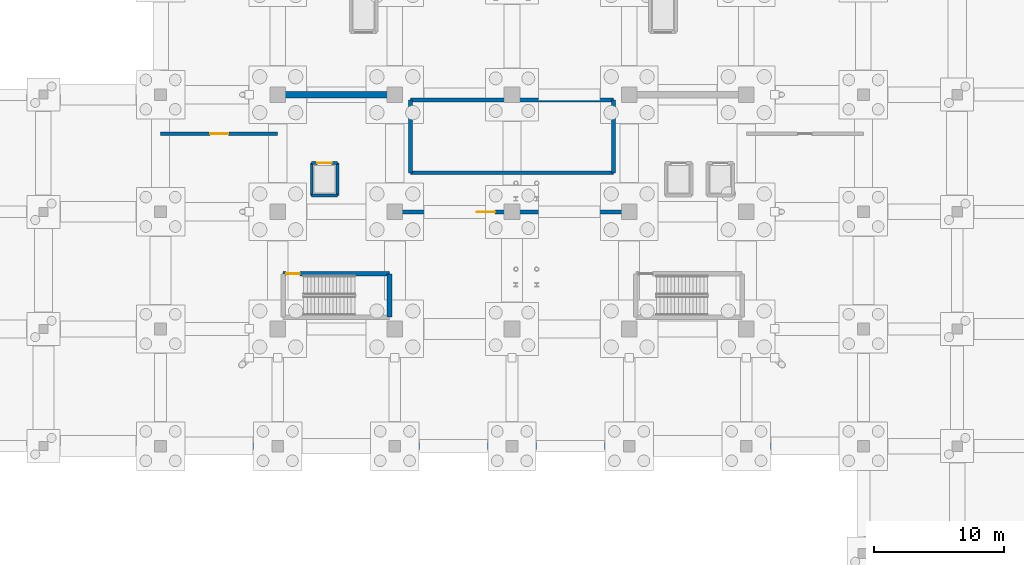
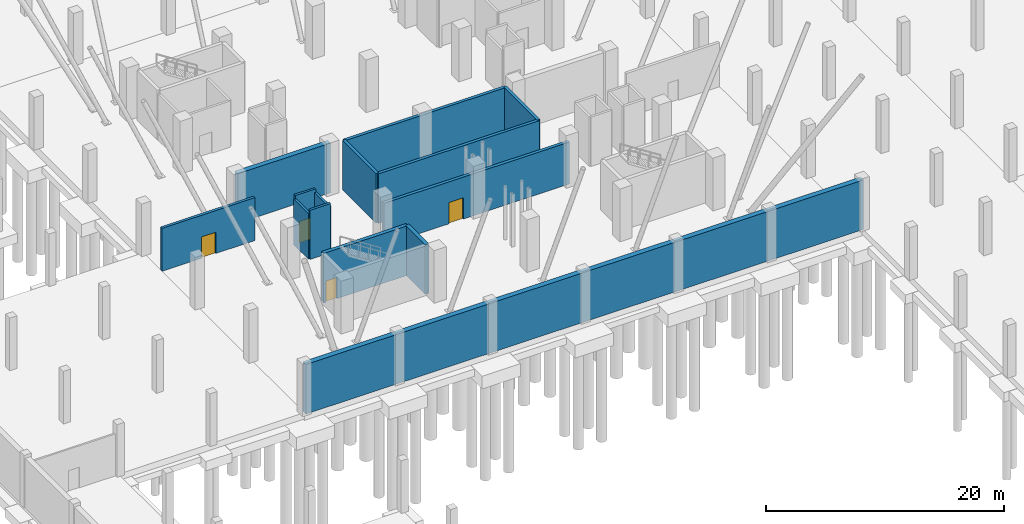
# One storey, part 25 of 42: 14 walls, 4 doors, 4 openings.
"""IFC4 building model written with IfcOpenShell, lengths in metres."""

from ifc_helpers import new_model, si_unit, direction, frame, frame_2d, origin, place, context, subcontext, project, spatial, rectangle, extrude, material, layer, layer_set, type_object, element, fill, save


model = new_model("IFC4")

# Units and contexts
model_context = context("Model", 3, precision=1e-05, world=origin(), true_north=direction((0.0, 1.0)))
body_context = subcontext(model_context, "Body", "Model", "MODEL_VIEW")
ifc_project = project(units=[si_unit("LENGTHUNIT", "METRE"), si_unit("AREAUNIT", "SQUARE_METRE"), si_unit("VOLUMEUNIT", "CUBIC_METRE"), si_unit("PLANEANGLEUNIT", "RADIAN"), si_unit("MASSUNIT", "GRAM", prefix="KILO")], contexts=[model_context])

# Site, building, storey
site_placement = place(None, origin())
site = spatial("IfcSite", under=ifc_project, at=site_placement, CompositionType="ELEMENT")
building_placement = place(site_placement, origin())
building = spatial("IfcBuilding", under=site, at=building_placement, Name="Sundgate Opera House", CompositionType="ELEMENT")
storey_placement = place(building_placement, frame((0.0, 0.0, -5.39990234375)))
storey = spatial("IfcBuildingStorey", under=building, at=storey_placement, Name="B01", CompositionType="ELEMENT", Elevation=-5.39990234375)

# Wall, opening, door
ifc_material_1 = material(Name="Concrete C40/50", Category="concrete")
ifc_layer_1 = layer(ifc_material_1, 0.35009765625)
ifc_layer_set_1 = layer_set([ifc_layer_1], Name="Concrete C40/50")
wall_type_1 = type_object("IfcWallType", Name="WL-CORE-350", PredefinedType="SHEAR", material=ifc_layer_set_1)
wall_1_placement = place(storey_placement, frame((36.409912109375, 46.239990234375, 0.0), z_axis=(0.0, 0.0, 1.0), x_axis=(1.0, 0.0, 0.0)))
wall_1 = element("IfcWall", 1, at=wall_1_placement, inside=storey, type_object=wall_type_1, Name="B01 C1 North Shaft Wall", PredefinedType="SHEAR", context=body_context, shape_type="SweptSolid", body=[
    extrude(rectangle(XDim=8.18017578125, YDim=0.35009765625, at=frame_2d((4.090087890625, 0.0))), origin(), (0.0, 0.0, 1.0), 5.079833984375),
])
opening_1_placement = place(wall_1_placement, frame((0.239990234375, 0.0, 0.0)))
opening_1 = element("IfcOpeningElement", 2, at=opening_1_placement, cuts=wall_1, Name="Opening DI01", PredefinedType="OPENING", context=body_context, shape_type="SweptSolid", body=[
    extrude(rectangle(XDim=1.050048828125, YDim=2.179931640625, at=frame_2d((0.52490234375, 1.08984375))), frame((0.0, 0.18505859375, 0.0), z_axis=(0.0, -1.0, 0.0), x_axis=(1.0, 0.0, 0.0)), (0.0, 0.0, 1.0), 0.3701171875),
])
ifc_material_2 = material(Name="Acoustic hardwood timber and steel core", Category="steel")
door_type_1 = type_object("IfcDoorType", Name="DR-STAIR-1050x2180", OperationType="NOTDEFINED", PredefinedType="DOOR", material=ifc_material_2)
door_1_placement = place(opening_1_placement, origin())
door_1 = element("IfcDoor", 3, at=door_1_placement, inside=storey, type_object=door_type_1, Name="B01 C1 Stair Door D0025", OperationType="SINGLE_SWING_LEFT", OverallHeight=2.179931640625, OverallWidth=1.050048828125, PredefinedType="DOOR", context=body_context, shape_type="SweptSolid", body=[
    extrude(rectangle(XDim=1.050048828125, YDim=2.179931640625, at=frame_2d((0.52490234375, 1.08984375))), frame((0.0, 0.02490234375, 0.0), z_axis=(0.0, -1.0, 0.0), x_axis=(1.0, 0.0, 0.0)), (0.0, 0.0, 1.0), 0.050048828125),
])
fill(opening_1, door_1)

# Wall
wall_2_placement = place(storey_placement, frame((44.590087890625, 42.909912109375, 0.0), z_axis=(0.0, 0.0, 1.0), x_axis=(0.0, 1.0, 0.0)))
element("IfcWall", 4, at=wall_2_placement, inside=storey, type_object=wall_type_1, Name="B01 C1 East Shaft Wall", PredefinedType="SHEAR", context=body_context, shape_type="SweptSolid", body=[
    extrude(rectangle(XDim=3.330078125, YDim=0.35009765625, at=frame_2d((1.6650390625, 0.0))), origin(), (0.0, 0.0, 1.0), 5.079833984375),
])

# Wall, opening, door
ifc_material_3 = material(Name="Acoustic masonry partition wall", Category="masonry")
ifc_layer_2 = layer(ifc_material_3, 0.260009765625)
ifc_layer_set_2 = layer_set([ifc_layer_2], Name="Acoustic masonry partition wall")
wall_type_2 = type_object("IfcWallType", Name="WL-INT-ACOUST-260", PredefinedType="PARTITIONING", material=ifc_layer_set_2)
wall_3_placement = place(storey_placement, frame((27.0, 57.0, 0.0), z_axis=(0.0, 0.0, 1.0), x_axis=(1.0, 0.0, 0.0)))
wall_3 = element("IfcWall", 5, at=wall_3_placement, inside=storey, type_object=wall_type_2, Name="B01 Interior Partition W0972", PredefinedType="PARTITIONING", context=body_context, shape_type="SweptSolid", body=[
    extrude(rectangle(XDim=9.0, YDim=0.260009765625, at=frame_2d((4.5, 0.0))), origin(), (0.0, 0.0, 1.0), 4.39501953125),
])
opening_2_placement = place(wall_3_placement, frame((3.800048828125, 0.0, 0.0)))
opening_2 = element("IfcOpeningElement", 6, at=opening_2_placement, cuts=wall_3, Name="Opening DI09", PredefinedType="OPENING", context=body_context, shape_type="SweptSolid", body=[
    extrude(rectangle(XDim=1.39990234375, YDim=2.179931640625, at=frame_2d((0.699951171875, 1.08984375))), frame((0.0, 0.139892578125, 0.0), z_axis=(0.0, -1.0, 0.0), x_axis=(1.0, 0.0, 0.0)), (0.0, 0.0, 1.0), 0.280029296875),
])
ifc_material_4 = material(Name="Acoustic hardwood timber and steel core", Category="steel")
door_type_2 = type_object("IfcDoorType", Name="DR-PLANT-1400x2180", OperationType="DOUBLE_DOOR_SINGLE_SWING", PredefinedType="DOOR", material=ifc_material_4)
door_2_placement = place(opening_2_placement, origin())
door_2 = element("IfcDoor", 7, at=door_2_placement, inside=storey, type_object=door_type_2, Name="B01 Interior Door D0160", OperationType="DOUBLE_DOOR_SINGLE_SWING", OverallHeight=2.179931640625, OverallWidth=1.39990234375, PredefinedType="DOOR", context=body_context, shape_type="SweptSolid", body=[
    extrude(rectangle(XDim=1.39990234375, YDim=2.179931640625, at=frame_2d((0.699951171875, 1.08984375))), frame((0.0, 0.02490234375, 0.0), z_axis=(0.0, -1.0, 0.0), x_axis=(1.0, 0.0, 0.0)), (0.0, 0.0, 1.0), 0.050048828125),
])
fill(opening_2, door_2)

ifc_material_5 = material(Name="Double-leaf acoustic concrete blockwork C35/45", Category="masonry")
ifc_layer_3 = layer(ifc_material_5, 0.300048828125)
ifc_layer_set_3 = layer_set([ifc_layer_3], Name="Double-leaf acoustic concrete blockwork C35/45")
wall_type_3 = type_object("IfcWallType", Name="WL-INT-ACOUST-300", PredefinedType="PARTITIONING", material=ifc_layer_set_3)
wall_4_placement = place(storey_placement, frame((45.0, 51.0, 0.0), z_axis=(0.0, 0.0, 1.0), x_axis=(1.0, 0.0, 0.0)))
wall_4 = element("IfcWall", 8, at=wall_4_placement, inside=storey, type_object=wall_type_3, Name="B01 Interior Partition W0971", PredefinedType="PARTITIONING", context=body_context, shape_type="SweptSolid", body=[
    extrude(rectangle(XDim=18.0, YDim=0.300048828125, at=frame_2d((9.0, 0.0))), origin(), (0.0, 0.0, 1.0), 4.294921875),
])
opening_3_placement = place(wall_4_placement, frame((6.30810546875, 0.0, 0.0)))
opening_3 = element("IfcOpeningElement", 9, at=opening_3_placement, cuts=wall_4, Name="Opening DI09", PredefinedType="OPENING", context=body_context, shape_type="SweptSolid", body=[
    extrude(rectangle(XDim=1.39990234375, YDim=2.179931640625, at=frame_2d((0.699951171875, 1.08984375))), frame((0.0, 0.159912109375, 0.0), z_axis=(0.0, -1.0, 0.0), x_axis=(1.0, 0.0, 0.0)), (0.0, 0.0, 1.0), 0.320068359375),
])
door_3_placement = place(opening_3_placement, origin())
door_3 = element("IfcDoor", 10, at=door_3_placement, inside=storey, type_object=door_type_2, Name="B01 Interior Door D0159", OperationType="DOUBLE_DOOR_SINGLE_SWING", OverallHeight=2.179931640625, OverallWidth=1.39990234375, PredefinedType="DOOR", context=body_context, shape_type="SweptSolid", body=[
    extrude(rectangle(XDim=1.39990234375, YDim=2.179931640625, at=frame_2d((0.699951171875, 1.08984375))), frame((0.0, 0.02490234375, 0.0), z_axis=(0.0, -1.0, 0.0), x_axis=(1.0, 0.0, 0.0)), (0.0, 0.0, 1.0), 0.050048828125),
])
fill(opening_3, door_3)

# Wall
ifc_material_6 = material(Name="Fire-rated gypsum and mineral-wool shaft partition", Category="gypsum")
ifc_layer_4 = layer(ifc_material_6, 0.219970703125)
ifc_layer_set_4 = layer_set([ifc_layer_4], Name="Fire-rated gypsum and mineral-wool shaft partition")
wall_type_4 = type_object("IfcWallType", Name="WL-INT-FIRE-220", PredefinedType="PARTITIONING", material=ifc_layer_set_4)
wall_5_placement = place(storey_placement, frame((38.610107421875, 52.260009765625, 0.0), z_axis=(0.0, 0.0, 1.0), x_axis=(1.0, 0.0, 0.0)))
element("IfcWall", 11, at=wall_5_placement, inside=storey, type_object=wall_type_4, Name="B01 LF-03 South Shaft Wall", PredefinedType="PARTITIONING", context=body_context, shape_type="SweptSolid", body=[
    extrude(rectangle(XDim=1.97998046875, YDim=0.219970703125, at=frame_2d((0.989990234375, 0.0))), origin(), (0.0, 0.0, 1.0), 5.044921875),
])

# Wall, opening, door
wall_6_placement = place(storey_placement, frame((38.610107421875, 54.739990234375, 0.0), z_axis=(0.0, 0.0, 1.0), x_axis=(1.0, 0.0, 0.0)))
wall_6 = element("IfcWall", 12, at=wall_6_placement, inside=storey, type_object=wall_type_4, Name="B01 LF-03 North Shaft Wall", PredefinedType="PARTITIONING", context=body_context, shape_type="SweptSolid", body=[
    extrude(rectangle(XDim=1.97998046875, YDim=0.219970703125, at=frame_2d((0.989990234375, 0.0))), origin(), (0.0, 0.0, 1.0), 5.044921875),
])
opening_4_placement = place(wall_6_placement, frame((0.43994140625, 0.0, 0.0)))
opening_4 = element("IfcOpeningElement", 13, at=opening_4_placement, cuts=wall_6, Name="Opening LD1", PredefinedType="OPENING", context=body_context, shape_type="SweptSolid", body=[
    extrude(rectangle(XDim=1.10009765625, YDim=2.179931640625, at=frame_2d((0.550048828125, 1.08984375))), frame((0.0, 0.119873046875, 0.0), z_axis=(0.0, -1.0, 0.0), x_axis=(1.0, 0.0, 0.0)), (0.0, 0.0, 1.0), 0.239990234375),
])
ifc_material_7 = material(Name="Brushed stainless steel EN 1.4301", Category="steel")
door_type_3 = type_object("IfcDoorType", Name="DR-LIFT-1100x2180", OperationType="DOUBLE_DOOR_SLIDING", PredefinedType="DOOR", material=ifc_material_7)
door_4_placement = place(opening_4_placement, origin())
door_4 = element("IfcDoor", 14, at=door_4_placement, inside=storey, type_object=door_type_3, Name="B01 LF-03 Landing Door D0106", OperationType="DOUBLE_DOOR_SLIDING", OverallHeight=2.179931640625, OverallWidth=1.10009765625, PredefinedType="DOOR", context=body_context, shape_type="SweptSolid", body=[
    extrude(rectangle(XDim=1.10009765625, YDim=2.179931640625, at=frame_2d((0.550048828125, 1.08984375))), frame((0.0, 0.02490234375, 0.0), z_axis=(0.0, -1.0, 0.0), x_axis=(1.0, 0.0, 0.0)), (0.0, 0.0, 1.0), 0.050048828125),
])
fill(opening_4, door_4)

# Walls
for number, where, z_axis, x_axis, name in (
    (15, (38.610107421875, 52.260009765625, 0.0), (0.0, 0.0, 1.0), (0.0, 1.0, 0.0), "B01 LF-03 West Shaft Wall"),
    (16, (40.590087890625, 52.260009765625, 0.0), (0.0, 0.0, 1.0), (0.0, 1.0, 0.0), "B01 LF-03 East Shaft Wall"),
):
    element("IfcWall", number, at=place(storey_placement, frame(where, z_axis=z_axis, x_axis=x_axis)), inside=storey, type_object=wall_type_4, Name=name, PredefinedType="PARTITIONING", context=body_context, shape_type="SweptSolid", body=[
        extrude(rectangle(XDim=2.47998046875, YDim=0.219970703125, at=frame_2d((1.239990234375, 0.0))), origin(), (0.0, 0.0, 1.0), 4.684814453125),
    ])
ifc_material_8 = material(Name="Concrete C40/50", Category="concrete")
ifc_layer_5 = layer(ifc_material_8, 0.47998046875)
ifc_layer_set_5 = layer_set([ifc_layer_5], Name="Concrete C40/50")
wall_type_5 = type_object("IfcWallType", Name="WL-PROS-480", PredefinedType="SHEAR", material=ifc_layer_set_5)
wall_7_placement = place(storey_placement, frame((36.0, 60.0, 0.0), z_axis=(0.0, 0.0, 1.0), x_axis=(1.0, 0.0, 0.0)))
element("IfcWall", 17, at=wall_7_placement, inside=storey, type_object=wall_type_5, Name="B01 Proscenium Shear Wall W0008", PredefinedType="SHEAR", context=body_context, shape_type="SweptSolid", body=[
    extrude(rectangle(XDim=9.0, YDim=0.47998046875, at=frame_2d((4.5, 0.0))), origin(), (0.0, 0.0, 1.0), 5.079833984375),
])
ifc_material_9 = material(Name="Concrete C35/45", Category="concrete")
ifc_layer_6 = layer(ifc_material_9, 0.5)
ifc_layer_set_6 = layer_set([ifc_layer_6], Name="Concrete C35/45")
wall_type_6 = type_object("IfcWallType", Name="WL-RET-500", PredefinedType="USERDEFINED", material=ifc_layer_set_6)
wall_8_placement = place(storey_placement, frame((27.0, 33.0, 0.0), z_axis=(0.0, 0.0, 1.0), x_axis=(1.0, 0.0, 0.0)))
element("IfcWall", 18, at=wall_8_placement, inside=storey, type_object=wall_type_6, Name="B01 Perimeter Retaining Wall W0007", ObjectType="RETAINING WALL", PredefinedType="USERDEFINED", context=body_context, shape_type="SweptSolid", body=[
    extrude(rectangle(XDim=54.0, YDim=0.5, at=frame_2d((27.0, 0.0))), origin(), (0.0, 0.0, 1.0), 5.079833984375),
])
ifc_material_10 = material(Name="Concrete C35/45", Category="concrete")
ifc_layer_7 = layer(ifc_material_10, 0.2900390625)
ifc_layer_set_7 = layer_set([ifc_layer_7], Name="Concrete C35/45")
wall_type_7 = type_object("IfcWallType", Name="WL-SHFT-290", PredefinedType="SHEAR", material=ifc_layer_set_7)
for number, where, z_axis, x_axis, name in (
    (19, (46.199951171875, 54.0, 0.0), (0.0, 0.0, 1.0), (1.0, 0.0, 0.0), "B01 Orchestra Pit Support Wall W0024"),
    (20, (46.199951171875, 59.60009765625, 0.0), (0.0, 0.0, 1.0), (1.0, 0.0, 0.0), "B01 Orchestra Pit Support Wall W0025"),
):
    element("IfcWall", number, at=place(storey_placement, frame(where, z_axis=z_axis, x_axis=x_axis)), inside=storey, type_object=wall_type_7, Name=name, PredefinedType="SHEAR", context=body_context, shape_type="SweptSolid", body=[
        extrude(rectangle(XDim=15.60009765625, YDim=0.2900390625, at=frame_2d((7.800048828125, 0.0))), origin(), (0.0, 0.0, 1.0), 5.079833984375),
    ])
for number, where, z_axis, x_axis, name in (
    (21, (46.199951171875, 54.0, 0.0), (0.0, 0.0, 1.0), (0.0, 1.0, 0.0), "B01 Orchestra Pit Support Wall W0026"),
    (22, (61.800048828125, 54.0, 0.0), (0.0, 0.0, 1.0), (0.0, 1.0, 0.0), "B01 Orchestra Pit Support Wall W0027"),
):
    element("IfcWall", number, at=place(storey_placement, frame(where, z_axis=z_axis, x_axis=x_axis)), inside=storey, type_object=wall_type_7, Name=name, PredefinedType="SHEAR", context=body_context, shape_type="SweptSolid", body=[
        extrude(rectangle(XDim=5.60009765625, YDim=0.2900390625, at=frame_2d((2.800048828125, 0.0))), origin(), (0.0, 0.0, 1.0), 5.079833984375),
    ])

save(model, "model.ifc")
